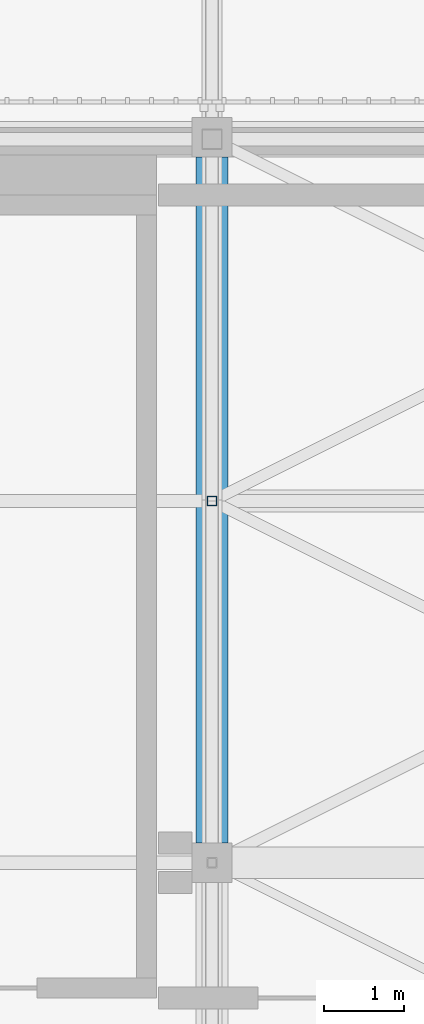
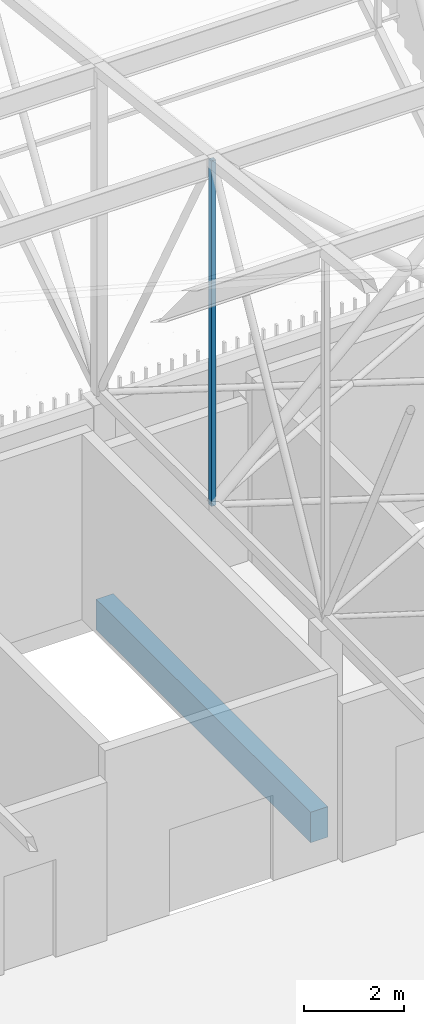
# One storey, part 405 of 500: 1 beam, 1 member.
"""IFC4 building model written with IfcOpenShell, lengths in metres."""

import ifcopenshell
import ifcopenshell.guid

model = None  # the IFC model being written
_history = None  # IfcOwnerHistory: only IFC2X3 demands one
_inside = {}  # id of a spatial element -> (the spatial element, [elements in it])
_under = {}  # id of a project, library or spatial element -> (it, [spatial elements below it])
_declared = {}  # id of a project -> (the project, [libraries it declares])
_typed = {}  # id of a type object -> (the type object, [elements of that type])
_made_of = {}  # id of a material, layer set ... -> (it, [elements and type objects made of it])


def new_model(schema):
    """Start an empty IFC model of exactly this schema.

    Asked for "IFC4X3", IfcOpenShell would pick the latest addendum, in which some entities
    have other attributes; the version numbers below select the first issue.
    IFC2X3 requires an IfcOwnerHistory on every rooted entity: one is made here for all.
    """
    global model, _history
    if schema == "IFC4X3":
        model = ifcopenshell.file(schema_version=(4, 3, 0, 0))
    else:
        model = ifcopenshell.file(schema=schema)
    _inside.clear()
    _under.clear()
    _declared.clear()
    _typed.clear()
    _made_of.clear()
    _history = None
    if model.schema == "IFC2X3":
        org = make("IfcOrganization", Name="unknown")
        user = make(
            "IfcPersonAndOrganization",
            ThePerson=make("IfcPerson", FamilyName="unknown"),
            TheOrganization=org,
        )
        app = make(
            "IfcApplication",
            ApplicationDeveloper=org,
            Version="unknown",
            ApplicationFullName="unknown",
            ApplicationIdentifier="unknown",
        )
        _history = make(
            "IfcOwnerHistory",
            OwningUser=user,
            OwningApplication=app,
            ChangeAction="ADDED",
            CreationDate=0,
        )
    return model


def make(cls, **values):
    """One entity of the class cls with the attributes given. An attribute that is None is left unset."""
    return model.create_entity(
        cls, **{name: value for name, value in values.items() if value is not None}
    )


def rooted(cls, **values):
    """An entity with a GlobalId (a new one), such as an element, a storey or a relation."""
    return make(cls, GlobalId=ifcopenshell.guid.new(), OwnerHistory=_history, **values)


def si_unit(unit_type, name, prefix=None):
    """IfcSIUnit, for example si_unit("LENGTHUNIT", "METRE", prefix="MILLI")."""
    return make("IfcSIUnit", UnitType=unit_type, Prefix=prefix, Name=name)


def assignment(units):
    """IfcUnitAssignment: the units of a project."""
    return None if units is None else make("IfcUnitAssignment", Units=units)


def point(xyz):
    """IfcCartesianPoint."""
    return None if xyz is None else make("IfcCartesianPoint", Coordinates=xyz)


def direction(xyz):
    """IfcDirection."""
    return None if xyz is None else make("IfcDirection", DirectionRatios=xyz)


def frame(location, z_axis=None, x_axis=None):
    """IfcAxis2Placement3D, a coordinate frame: its origin and axes. An axis left out is left unset."""
    return make(
        "IfcAxis2Placement3D",
        Location=point(location),
        Axis=direction(z_axis),
        RefDirection=direction(x_axis),
    )


def frame_2d(location, x_axis=None):
    """IfcAxis2Placement2D, a coordinate frame in the plane: its origin and x axis."""
    return make(
        "IfcAxis2Placement2D", Location=point(location), RefDirection=direction(x_axis)
    )


def origin():
    """The frame at (0, 0, 0) with its axes left unset."""
    return frame((0.0, 0.0, 0.0))


def origin_2d():
    """The frame at (0, 0) in the plane with its x axis left unset."""
    return frame_2d((0.0, 0.0))


def place(relative_to, where):
    """IfcLocalPlacement: puts the frame where relative to a parent placement (None: the world)."""
    return make(
        "IfcLocalPlacement", PlacementRelTo=relative_to, RelativePlacement=where
    )


def context(
    kind, dimensions, precision=None, world=None, true_north=None, identifier=None
):
    """IfcGeometricRepresentationContext, for example the 3D "Model" context."""
    return make(
        "IfcGeometricRepresentationContext",
        ContextIdentifier=identifier,
        ContextType=kind,
        CoordinateSpaceDimension=dimensions,
        Precision=precision,
        WorldCoordinateSystem=world,
        TrueNorth=true_north,
    )


def subcontext(parent, identifier, kind, view, scale=None):
    """IfcGeometricRepresentationSubContext, for example "Body" below "Model"."""
    return make(
        "IfcGeometricRepresentationSubContext",
        ContextIdentifier=identifier,
        ContextType=kind,
        ParentContext=parent,
        TargetScale=scale,
        TargetView=view,
    )


def project(units=None, contexts=None):
    """IfcProject with its units and contexts."""
    return rooted(
        "IfcProject",
        Name="project",
        RepresentationContexts=contexts,
        UnitsInContext=assignment(units),
    )


def spatial(cls, under=None, at=None, **own):
    """A site, building, storey or space (cls), placed at a placement, below another one or the project."""
    s = rooted(cls, ObjectPlacement=at, **own)
    if under is not None:
        _under.setdefault(under.id(), (under, []))[1].append(s)
    return s


def profile(cls, at=None, kind="AREA", **sizes):
    """A parametric profile (cls). Its sizes go by their IFC names, for example OverallWidth=200.0."""
    return make(cls, ProfileType=kind, Position=at, **sizes)


def rectangle(**sizes):
    """IfcRectangleProfileDef."""
    return profile("IfcRectangleProfileDef", **sizes)


def hollow_rectangle(**sizes):
    """IfcRectangleHollowProfileDef."""
    return profile("IfcRectangleHollowProfileDef", **sizes)


def extrude(swept, where, along, depth):
    """IfcExtrudedAreaSolid: the profile swept, set in the frame where, extruded along a direction by depth."""
    return make(
        "IfcExtrudedAreaSolid",
        SweptArea=swept,
        Position=where,
        ExtrudedDirection=direction(along),
        Depth=depth,
    )


def shape(context_of_items, identifier, shape_type, items):
    """IfcShapeRepresentation: the items that make up one representation, for example the "Body"."""
    return make(
        "IfcShapeRepresentation",
        ContextOfItems=context_of_items,
        RepresentationIdentifier=identifier,
        RepresentationType=shape_type,
        Items=items,
    )


def material(Name=None, Category=None):
    """IfcMaterial."""
    return make("IfcMaterial", Name=Name, Category=Category)


def material_profile(
    of_material, cross_section, Name=None, Category=None, Priority=None
):
    """IfcMaterialProfile: a cross section and its material."""
    return make(
        "IfcMaterialProfile",
        Name=Name,
        Material=of_material,
        Profile=cross_section,
        Priority=Priority,
        Category=Category,
    )


def profile_set(profiles, Name=None, composite=None):
    """IfcMaterialProfileSet."""
    return make(
        "IfcMaterialProfileSet",
        Name=Name,
        MaterialProfiles=profiles,
        CompositeProfile=composite,
    )


def made_of(thing, what):
    """Note that an element or type object is made of a material, layer set ...; save() writes the relation."""
    if what is not None:
        _made_of.setdefault(what.id(), (what, []))[1].append(thing)
    return thing


def type_object(cls, material=None, **own):
    """A type object (cls), such as IfcWallType, which elements share."""
    return made_of(rooted(cls, **own), material)


def element(
    cls,
    number,
    at=None,
    inside=None,
    cuts=None,
    type_object=None,
    material=None,
    context=None,
    identifier="Body",
    shape_type=None,
    held_by="IfcProductDefinitionShape",
    body=None,
    shapes=None,
    **own,
):
    """One element of the class cls, such as IfcWall. Its Tag is "e" and its number.

    at: its placement. inside: the storey or other place that contains it. cuts: it is an
    opening in that element (IfcRelVoidsElement). A single representation is given by context,
    identifier, shape_type and body (its items); several are given by shapes. held_by: the class
    of the entity that holds the representations. save() writes the other relations.
    """
    e = rooted(cls, Tag="e%d" % number, ObjectPlacement=at, **own)
    if body is not None:
        shapes = [shape(context, identifier, shape_type, body)]
    if shapes is not None:
        e.Representation = make(held_by, Representations=shapes)
    if inside is not None:
        _inside.setdefault(inside.id(), (inside, []))[1].append(e)
    if cuts is not None:
        rooted(
            "IfcRelVoidsElement", RelatingBuildingElement=cuts, RelatedOpeningElement=e
        )
    if type_object is not None:
        _typed.setdefault(type_object.id(), (type_object, []))[1].append(e)
    return made_of(e, material)


def aggregate(whole, parts):
    """IfcRelAggregates: a whole, such as a stair, and the parts it consists of."""
    return rooted("IfcRelAggregates", RelatingObject=whole, RelatedObjects=parts)


def save(model, path):
    """Write the relations noted so far, then the file.

    IfcRelAggregates (storeys below a building ...), IfcRelContainedInSpatialStructure (elements
    in a storey), IfcRelDefinesByType, IfcRelAssociatesMaterial and IfcRelDeclares: one each for
    every whole, place, type object, material and project.
    """
    for whole, parts in _under.values():
        aggregate(whole, parts)
    for where, things in _inside.values():
        rooted(
            "IfcRelContainedInSpatialStructure",
            RelatedElements=things,
            RelatingStructure=where,
        )
    for kind, things in _typed.values():
        rooted("IfcRelDefinesByType", RelatedObjects=things, RelatingType=kind)
    for what, things in _made_of.values():
        rooted("IfcRelAssociatesMaterial", RelatedObjects=things, RelatingMaterial=what)
    for by, libraries in _declared.values():
        rooted("IfcRelDeclares", RelatingContext=by, RelatedDefinitions=libraries)
    model.write(path)


model = new_model("IFC4")

# Units and contexts
model_context = context("Model", 3, precision=1e-05, world=origin(), true_north=direction((0.0, 1.0)))
body_context = subcontext(model_context, "Body", "Model", "MODEL_VIEW")
ifc_project = project(units=[si_unit("LENGTHUNIT", "METRE"), si_unit("AREAUNIT", "SQUARE_METRE"), si_unit("VOLUMEUNIT", "CUBIC_METRE"), si_unit("PLANEANGLEUNIT", "RADIAN"), si_unit("MASSUNIT", "GRAM", prefix="KILO")], contexts=[model_context])

# Site, building, storey
site_placement = place(None, origin())
site = spatial("IfcSite", under=ifc_project, at=site_placement, CompositionType="ELEMENT")
building_placement = place(site_placement, origin())
building = spatial("IfcBuilding", under=site, at=building_placement, Name="Shirokan Park Arena", CompositionType="ELEMENT")
storey_placement = place(building_placement, frame((0.0, 0.0, 29.1201171875)))
storey = spatial("IfcBuildingStorey", under=building, at=storey_placement, Name="L06", CompositionType="ELEMENT", Elevation=29.1201171875)

# Beam
ifc_material_1 = material(Name="Concrete C35", Category="concrete")
ifc_material_profile_1 = material_profile(ifc_material_1, rectangle(XDim=0.39990234375, YDim=0.75, at=origin_2d()), Name="400x750")
ifc_profile_set_1 = profile_set([ifc_material_profile_1], Name="Concrete C35")
beam_type = type_object("IfcBeamType", Name="RC girder 400x750", PredefinedType="BEAM", material=ifc_profile_set_1)
beam_placement = place(storey_placement, frame((136.5, 100.35009765625, -0.5751953125), z_axis=(0.0, 1.0, 0.0), x_axis=(-1.0, 0.0, 0.0)))
element("IfcBeam", 1, at=beam_placement, inside=storey, type_object=beam_type, Name="Girder 16M-16N L06", PredefinedType="BEAM", context=body_context, shape_type="SweptSolid", body=[
    extrude(rectangle(XDim=0.39990234375, YDim=0.75, at=origin_2d()), origin(), (0.0, 0.0, 1.0), 8.624755859375),
])

# Member
ifc_material_2 = material(Name="Steel ASTM A500 Grade C", Category="steel")
ifc_material_profile_2 = material_profile(ifc_material_2, hollow_rectangle(XDim=0.114013671875, YDim=0.114013671875, WallThickness=0.00634765625, at=origin_2d()), Name="HSS114.3X114.3X6.4")
ifc_profile_set_2 = profile_set([ifc_material_profile_2], Name="Steel ASTM A500 Grade C")
member_type = type_object("IfcMemberType", Name="Truss post HSS114.3X114.3X6.4", PredefinedType="POST", material=ifc_profile_set_2)
member_placement = place(storey_placement, frame((136.5, 104.64990234375, 4.677001953125), z_axis=(0.0, 0.0, 1.0), x_axis=(1.0, 0.0, 0.0)))
element("IfcMember", 2, at=member_placement, inside=storey, type_object=member_type, Name="Truss T16 post 26", PredefinedType="POST", context=body_context, shape_type="SweptSolid", body=[
    extrude(hollow_rectangle(XDim=0.114013671875, YDim=0.114013671875, WallThickness=0.00634765625, at=origin_2d()), origin(), (0.0, 0.0, 1.0), 8.4658203125),
])

save(model, "model.ifc")
